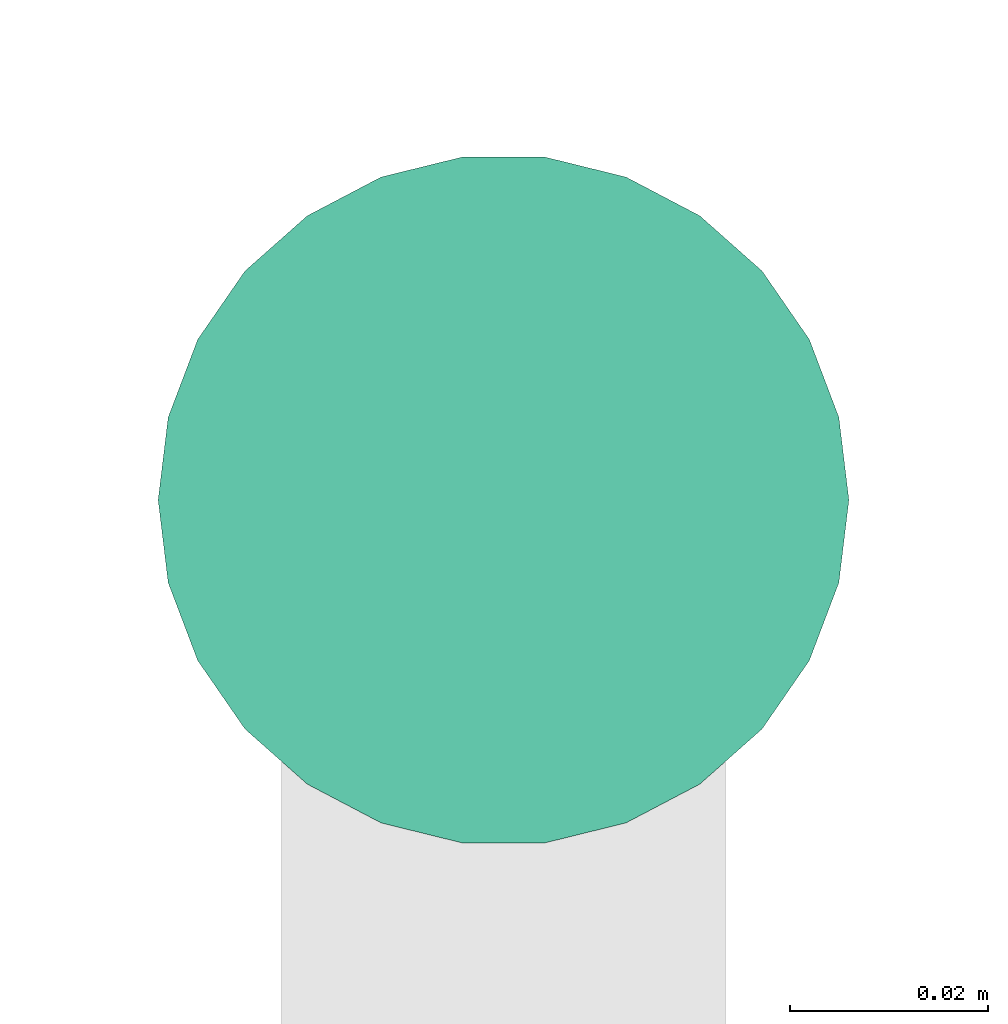
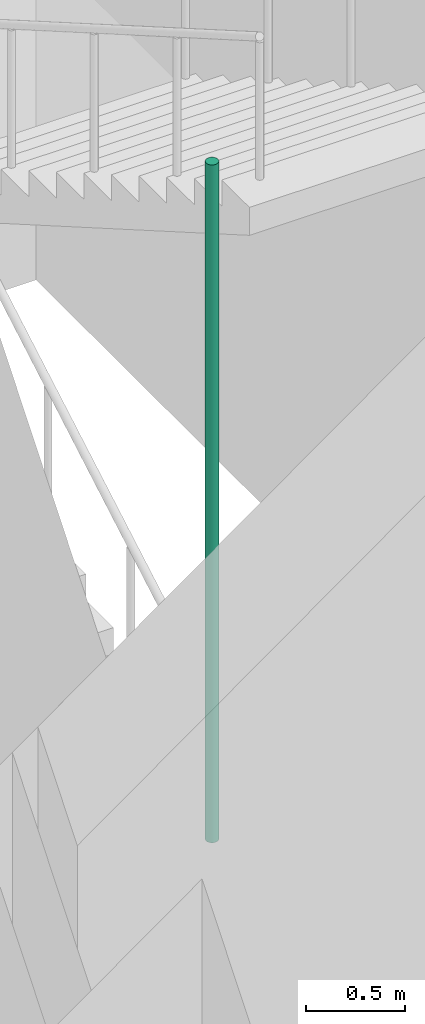
# One storey, part 32 of 36: 1 pipe segment.
"""IFC4 building model written with IfcOpenShell, lengths in metres."""

import ifcopenshell
import ifcopenshell.guid

model = None  # the IFC model being written
_history = None  # IfcOwnerHistory: only IFC2X3 demands one
_inside = {}  # id of a spatial element -> (the spatial element, [elements in it])
_under = {}  # id of a project, library or spatial element -> (it, [spatial elements below it])
_declared = {}  # id of a project -> (the project, [libraries it declares])
_typed = {}  # id of a type object -> (the type object, [elements of that type])
_made_of = {}  # id of a material, layer set ... -> (it, [elements and type objects made of it])


def new_model(schema):
    """Start an empty IFC model of exactly this schema.

    Asked for "IFC4X3", IfcOpenShell would pick the latest addendum, in which some entities
    have other attributes; the version numbers below select the first issue.
    IFC2X3 requires an IfcOwnerHistory on every rooted entity: one is made here for all.
    """
    global model, _history
    if schema == "IFC4X3":
        model = ifcopenshell.file(schema_version=(4, 3, 0, 0))
    else:
        model = ifcopenshell.file(schema=schema)
    _inside.clear()
    _under.clear()
    _declared.clear()
    _typed.clear()
    _made_of.clear()
    _history = None
    if model.schema == "IFC2X3":
        org = make("IfcOrganization", Name="unknown")
        user = make(
            "IfcPersonAndOrganization",
            ThePerson=make("IfcPerson", FamilyName="unknown"),
            TheOrganization=org,
        )
        app = make(
            "IfcApplication",
            ApplicationDeveloper=org,
            Version="unknown",
            ApplicationFullName="unknown",
            ApplicationIdentifier="unknown",
        )
        _history = make(
            "IfcOwnerHistory",
            OwningUser=user,
            OwningApplication=app,
            ChangeAction="ADDED",
            CreationDate=0,
        )
    return model


def make(cls, **values):
    """One entity of the class cls with the attributes given. An attribute that is None is left unset."""
    return model.create_entity(
        cls, **{name: value for name, value in values.items() if value is not None}
    )


def rooted(cls, **values):
    """An entity with a GlobalId (a new one), such as an element, a storey or a relation."""
    return make(cls, GlobalId=ifcopenshell.guid.new(), OwnerHistory=_history, **values)


def si_unit(unit_type, name, prefix=None):
    """IfcSIUnit, for example si_unit("LENGTHUNIT", "METRE", prefix="MILLI")."""
    return make("IfcSIUnit", UnitType=unit_type, Prefix=prefix, Name=name)


def assignment(units):
    """IfcUnitAssignment: the units of a project."""
    return None if units is None else make("IfcUnitAssignment", Units=units)


def point(xyz):
    """IfcCartesianPoint."""
    return None if xyz is None else make("IfcCartesianPoint", Coordinates=xyz)


def direction(xyz):
    """IfcDirection."""
    return None if xyz is None else make("IfcDirection", DirectionRatios=xyz)


def frame(location, z_axis=None, x_axis=None):
    """IfcAxis2Placement3D, a coordinate frame: its origin and axes. An axis left out is left unset."""
    return make(
        "IfcAxis2Placement3D",
        Location=point(location),
        Axis=direction(z_axis),
        RefDirection=direction(x_axis),
    )


def frame_2d(location, x_axis=None):
    """IfcAxis2Placement2D, a coordinate frame in the plane: its origin and x axis."""
    return make(
        "IfcAxis2Placement2D", Location=point(location), RefDirection=direction(x_axis)
    )


def origin():
    """The frame at (0, 0, 0) with its axes left unset."""
    return frame((0.0, 0.0, 0.0))


def origin_2d():
    """The frame at (0, 0) in the plane with its x axis left unset."""
    return frame_2d((0.0, 0.0))


def place(relative_to, where):
    """IfcLocalPlacement: puts the frame where relative to a parent placement (None: the world)."""
    return make(
        "IfcLocalPlacement", PlacementRelTo=relative_to, RelativePlacement=where
    )


def context(
    kind, dimensions, precision=None, world=None, true_north=None, identifier=None
):
    """IfcGeometricRepresentationContext, for example the 3D "Model" context."""
    return make(
        "IfcGeometricRepresentationContext",
        ContextIdentifier=identifier,
        ContextType=kind,
        CoordinateSpaceDimension=dimensions,
        Precision=precision,
        WorldCoordinateSystem=world,
        TrueNorth=true_north,
    )


def subcontext(parent, identifier, kind, view, scale=None):
    """IfcGeometricRepresentationSubContext, for example "Body" below "Model"."""
    return make(
        "IfcGeometricRepresentationSubContext",
        ContextIdentifier=identifier,
        ContextType=kind,
        ParentContext=parent,
        TargetScale=scale,
        TargetView=view,
    )


def project(units=None, contexts=None):
    """IfcProject with its units and contexts."""
    return rooted(
        "IfcProject",
        Name="project",
        RepresentationContexts=contexts,
        UnitsInContext=assignment(units),
    )


def spatial(cls, under=None, at=None, **own):
    """A site, building, storey or space (cls), placed at a placement, below another one or the project."""
    s = rooted(cls, ObjectPlacement=at, **own)
    if under is not None:
        _under.setdefault(under.id(), (under, []))[1].append(s)
    return s


def profile(cls, at=None, kind="AREA", **sizes):
    """A parametric profile (cls). Its sizes go by their IFC names, for example OverallWidth=200.0."""
    return make(cls, ProfileType=kind, Position=at, **sizes)


def circle(**sizes):
    """IfcCircleProfileDef."""
    return profile("IfcCircleProfileDef", **sizes)


def extrude(swept, where, along, depth):
    """IfcExtrudedAreaSolid: the profile swept, set in the frame where, extruded along a direction by depth."""
    return make(
        "IfcExtrudedAreaSolid",
        SweptArea=swept,
        Position=where,
        ExtrudedDirection=direction(along),
        Depth=depth,
    )


def shape(context_of_items, identifier, shape_type, items):
    """IfcShapeRepresentation: the items that make up one representation, for example the "Body"."""
    return make(
        "IfcShapeRepresentation",
        ContextOfItems=context_of_items,
        RepresentationIdentifier=identifier,
        RepresentationType=shape_type,
        Items=items,
    )


def made_of(thing, what):
    """Note that an element or type object is made of a material, layer set ...; save() writes the relation."""
    if what is not None:
        _made_of.setdefault(what.id(), (what, []))[1].append(thing)
    return thing


def element(
    cls,
    number,
    at=None,
    inside=None,
    cuts=None,
    type_object=None,
    material=None,
    context=None,
    identifier="Body",
    shape_type=None,
    held_by="IfcProductDefinitionShape",
    body=None,
    shapes=None,
    **own,
):
    """One element of the class cls, such as IfcWall. Its Tag is "e" and its number.

    at: its placement. inside: the storey or other place that contains it. cuts: it is an
    opening in that element (IfcRelVoidsElement). A single representation is given by context,
    identifier, shape_type and body (its items); several are given by shapes. held_by: the class
    of the entity that holds the representations. save() writes the other relations.
    """
    e = rooted(cls, Tag="e%d" % number, ObjectPlacement=at, **own)
    if body is not None:
        shapes = [shape(context, identifier, shape_type, body)]
    if shapes is not None:
        e.Representation = make(held_by, Representations=shapes)
    if inside is not None:
        _inside.setdefault(inside.id(), (inside, []))[1].append(e)
    if cuts is not None:
        rooted(
            "IfcRelVoidsElement", RelatingBuildingElement=cuts, RelatedOpeningElement=e
        )
    if type_object is not None:
        _typed.setdefault(type_object.id(), (type_object, []))[1].append(e)
    return made_of(e, material)


def aggregate(whole, parts):
    """IfcRelAggregates: a whole, such as a stair, and the parts it consists of."""
    return rooted("IfcRelAggregates", RelatingObject=whole, RelatedObjects=parts)


def save(model, path):
    """Write the relations noted so far, then the file.

    IfcRelAggregates (storeys below a building ...), IfcRelContainedInSpatialStructure (elements
    in a storey), IfcRelDefinesByType, IfcRelAssociatesMaterial and IfcRelDeclares: one each for
    every whole, place, type object, material and project.
    """
    for whole, parts in _under.values():
        aggregate(whole, parts)
    for where, things in _inside.values():
        rooted(
            "IfcRelContainedInSpatialStructure",
            RelatedElements=things,
            RelatingStructure=where,
        )
    for kind, things in _typed.values():
        rooted("IfcRelDefinesByType", RelatedObjects=things, RelatingType=kind)
    for what, things in _made_of.values():
        rooted("IfcRelAssociatesMaterial", RelatedObjects=things, RelatingMaterial=what)
    for by, libraries in _declared.values():
        rooted("IfcRelDeclares", RelatingContext=by, RelatedDefinitions=libraries)
    model.write(path)


model = new_model("IFC4")

# Units and contexts
model_context = context("Model", 3, precision=1e-05, world=origin(), true_north=direction((0.0, 1.0)))
body_context = subcontext(model_context, "Body", "Model", "MODEL_VIEW")
ifc_project = project(units=[si_unit("LENGTHUNIT", "METRE"), si_unit("AREAUNIT", "SQUARE_METRE"), si_unit("VOLUMEUNIT", "CUBIC_METRE"), si_unit("PLANEANGLEUNIT", "RADIAN"), si_unit("MASSUNIT", "GRAM", prefix="KILO")], contexts=[model_context])

# Site, building, storey
site_placement = place(None, origin())
site = spatial("IfcSite", under=ifc_project, at=site_placement, CompositionType="ELEMENT")
building_placement = place(site_placement, origin())
building = spatial("IfcBuilding", under=site, at=building_placement, Name="Nzadi Deep Aquarium and Research Tower", CompositionType="ELEMENT")
storey_placement = place(building_placement, frame((0.0, 0.0, 40.300048828125)))
storey = spatial("IfcBuildingStorey", under=building, at=storey_placement, Name="L07", CompositionType="ELEMENT", Elevation=40.300048828125)

# Pipe segment
pipe_segment_placement = place(storey_placement, frame((2.300048828125, 12.320068359375, 0.0), z_axis=(0.0, 0.0, 1.0), x_axis=(1.0, 0.0, 0.0)))
element("IfcPipeSegment", 1, at=pipe_segment_placement, inside=storey, Name="Dry riser ST-Z1-SW L07", PredefinedType="RIGIDSEGMENT", context=body_context, shape_type="SweptSolid", body=[
    extrude(circle(Radius=0.034912109375, at=origin_2d()), origin(), (0.0, 0.0, 1.0), 4.199951171875),
])

save(model, "model.ifc")
